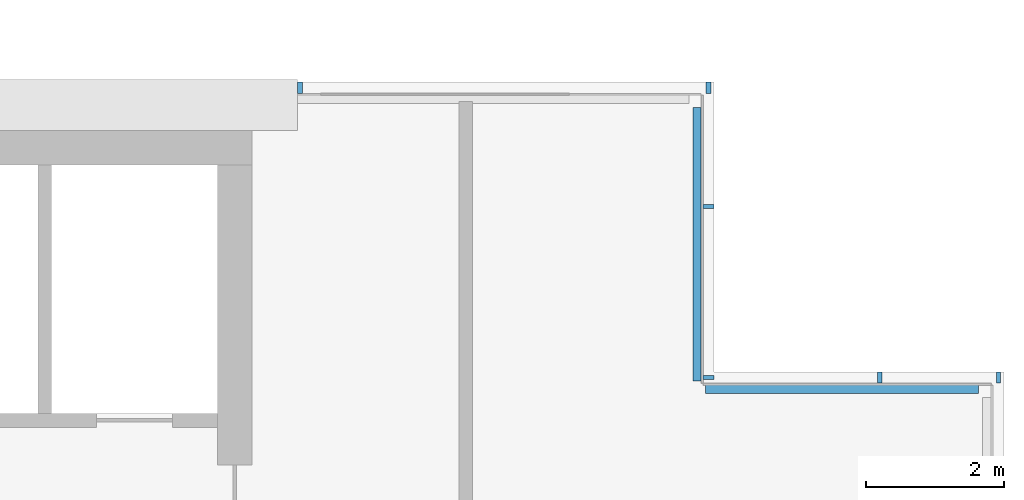
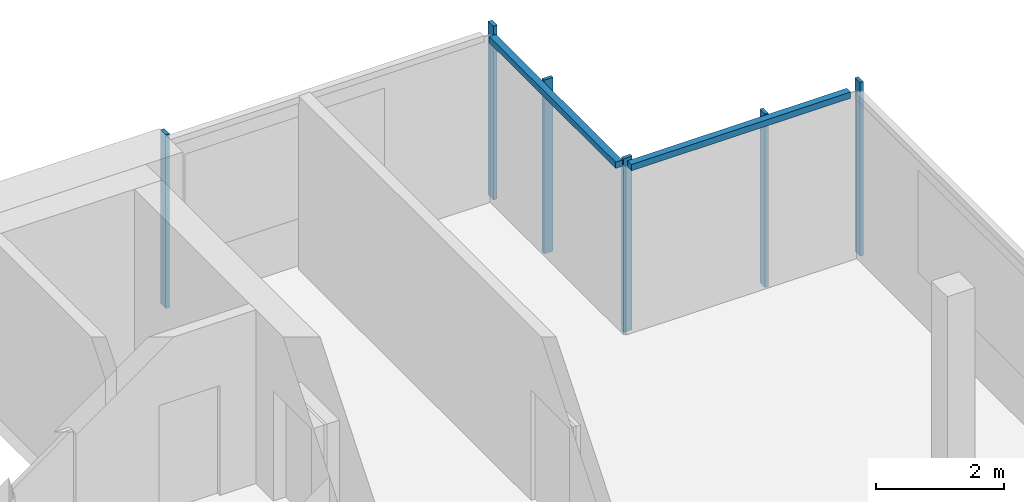
# One storey, part 9 of 21: 8 members, 3 elements without a shape of their own.
"""IFC4 building model written with IfcOpenShell, lengths in metres."""

from ifc_helpers import new_model, si_unit, direction, frame, origin, origin_2d, place, context, subcontext, project, spatial, rectangle, extrude, material, material_profile, profile_set, type_object, element, aggregate, save


model = new_model("IFC4")

# Units and contexts
model_context = context("Model", 3, precision=1e-05, world=origin(), true_north=direction((0.0, 1.0)))
body_context = subcontext(model_context, "Body", "Model", "MODEL_VIEW")
ifc_project = project(units=[si_unit("LENGTHUNIT", "METRE"), si_unit("AREAUNIT", "SQUARE_METRE"), si_unit("VOLUMEUNIT", "CUBIC_METRE"), si_unit("PLANEANGLEUNIT", "RADIAN"), si_unit("MASSUNIT", "GRAM", prefix="KILO")], contexts=[model_context])

# Site, building, storey
site_placement = place(None, origin())
site = spatial("IfcSite", under=ifc_project, at=site_placement, CompositionType="ELEMENT")
building_placement = place(site_placement, origin())
building = spatial("IfcBuilding", under=site, at=building_placement, Name="Saffron Gate Tower", CompositionType="ELEMENT")
storey_placement = place(building_placement, frame((0.0, 0.0, 299.550048828125)))
storey = spatial("IfcBuildingStorey", under=building, at=storey_placement, Name="L73", CompositionType="ELEMENT", Elevation=299.550048828125)

# Curtain wall, members
ifc_material = material(Name="Aluminium, bronze anodised", Category="aluminium")
curtain_wall_type_1 = type_object("IfcCurtainWallType", Name="CWS3 curtain wall rear facade", PredefinedType="NOTDEFINED", material=ifc_material)
curtain_wall_1_placement = place(storey_placement, origin())
curtain_wall_1 = element("IfcCurtainWall", 1, at=curtain_wall_1_placement, inside=storey, type_object=curtain_wall_type_1, Name="CWS3 run 7", PredefinedType="NOTDEFINED")
ifc_material_profile_1 = material_profile(ifc_material, rectangle(XDim=0.159912109375, YDim=0.070068359375, at=origin_2d()))
ifc_profile_set_1 = profile_set([ifc_material_profile_1], Name="Aluminium, bronze anodised")
member_type_1 = type_object("IfcMemberType", Name="CWS3 mullion 70x160", PredefinedType="MULLION", material=ifc_profile_set_1)
member_1_placement = place(storey_placement, frame((114.52001953125, 75.52001953125, 0.0), z_axis=(0.0, 0.0, 1.0), x_axis=(0.0, -1.0, 0.0)))
member_1 = element("IfcMember", 2, at=member_1_placement, type_object=member_type_1, Name="CWS3 mullion 1", PredefinedType="MULLION", context=body_context, shape_type="SweptSolid", body=[
    extrude(rectangle(XDim=0.159912109375, YDim=0.070068359375, at=origin_2d()), origin(), (0.0, 0.0, 1.0), 3.320068359375),
])
member_2_placement = place(storey_placement, frame((108.60009765625, 75.52001953125, 0.0), z_axis=(0.0, 0.0, 1.0), x_axis=(0.0, -1.0, 0.0)))
member_2 = element("IfcMember", 3, at=member_2_placement, type_object=member_type_1, Name="CWS3 mullion 2", PredefinedType="MULLION", context=body_context, shape_type="SweptSolid", body=[
    extrude(rectangle(XDim=0.159912109375, YDim=0.070068359375, at=origin_2d()), origin(), (0.0, 0.0, 1.0), 3.320068359375),
])
aggregate(curtain_wall_1, [member_1, member_2])

# Curtain wall, member
curtain_wall_type_2 = type_object("IfcCurtainWallType", Name="CWS4 curtain wall corner returns", PredefinedType="NOTDEFINED", material=ifc_material)
curtain_wall_2_placement = place(storey_placement, origin())
curtain_wall_2 = element("IfcCurtainWall", 4, at=curtain_wall_2_placement, inside=storey, type_object=curtain_wall_type_2, Name="CWS4 run 5", PredefinedType="NOTDEFINED")
ifc_material_profile_2 = material_profile(ifc_material, rectangle(XDim=0.1201171875, YDim=0.1201171875, at=origin_2d()))
ifc_profile_set_2 = profile_set([ifc_material_profile_2], Name="Aluminium, bronze anodised")
member_type_2 = type_object("IfcMemberType", Name="CWS4 head transom", PredefinedType="USERDEFINED", material=ifc_profile_set_2)
member_3_placement = place(storey_placement, frame((118.431884765625, 71.152099609375, 3.260009765625), z_axis=(-1.0, 0.0, 0.0), x_axis=(0.0, -1.0, 0.0)))
member_3 = element("IfcMember", 5, at=member_3_placement, type_object=member_type_2, Name="CWS4 head transom", ObjectType="TRANSOM", PredefinedType="USERDEFINED", context=body_context, shape_type="SweptSolid", body=[
    extrude(rectangle(XDim=0.1201171875, YDim=0.1201171875, at=origin_2d()), origin(), (0.0, 0.0, 1.0), 3.9599609375),
])

curtain_wall_3_placement = place(storey_placement, origin())
curtain_wall_3 = element("IfcCurtainWall", 6, at=curtain_wall_3_placement, inside=storey, type_object=curtain_wall_type_2, Name="CWS4 run 6", PredefinedType="NOTDEFINED")
member_4_placement = place(storey_placement, frame((114.35205078125, 71.27197265625, 3.260009765625), z_axis=(0.0, 1.0, 0.0), x_axis=(-1.0, 0.0, 0.0)))
member_4 = element("IfcMember", 7, at=member_4_placement, type_object=member_type_2, Name="CWS4 head transom", ObjectType="TRANSOM", PredefinedType="USERDEFINED", context=body_context, shape_type="SweptSolid", body=[
    extrude(rectangle(XDim=0.1201171875, YDim=0.1201171875, at=origin_2d()), origin(), (0.0, 0.0, 1.0), 3.9599609375),
])

# Member
ifc_material_profile_3 = material_profile(ifc_material, rectangle(XDim=0.159912109375, YDim=0.06005859375, at=origin_2d()))
ifc_profile_set_3 = profile_set([ifc_material_profile_3], Name="Aluminium, bronze anodised")
member_type_3 = type_object("IfcMemberType", Name="CWS4 mullion 60x160", PredefinedType="MULLION", material=ifc_profile_set_3)
member_5_placement = place(storey_placement, frame((118.719970703125, 71.320068359375, 0.0), z_axis=(0.0, 0.0, 1.0), x_axis=(0.0, -1.0, 0.0)))
member_5 = element("IfcMember", 8, at=member_5_placement, type_object=member_type_3, Name="CWS4 mullion 1", PredefinedType="MULLION", context=body_context, shape_type="SweptSolid", body=[
    extrude(rectangle(XDim=0.159912109375, YDim=0.06005859375, at=origin_2d()), origin(), (0.0, 0.0, 1.0), 3.320068359375),
])

member_6_placement = place(storey_placement, frame((117.0, 71.320068359375, 0.0), z_axis=(0.0, 0.0, 1.0), x_axis=(0.0, -1.0, 0.0)))
member_6 = element("IfcMember", 9, at=member_6_placement, type_object=member_type_3, Name="CWS4 mullion 2", PredefinedType="MULLION", context=body_context, shape_type="SweptSolid", body=[
    extrude(rectangle(XDim=0.159912109375, YDim=0.06005859375, at=origin_2d()), origin(), (0.0, 0.0, 1.0), 3.320068359375),
])

aggregate(curtain_wall_2, [member_5, member_6, member_3])

member_7_placement = place(storey_placement, frame((114.52001953125, 71.320068359375, 0.0), z_axis=(0.0, 0.0, 1.0), x_axis=(-1.0, 0.0, 0.0)))
member_7 = element("IfcMember", 10, at=member_7_placement, type_object=member_type_3, Name="CWS4 mullion 1", PredefinedType="MULLION", context=body_context, shape_type="SweptSolid", body=[
    extrude(rectangle(XDim=0.159912109375, YDim=0.06005859375, at=origin_2d()), origin(), (0.0, 0.0, 1.0), 3.320068359375),
])

member_8_placement = place(storey_placement, frame((114.52001953125, 73.800048828125, 0.0), z_axis=(0.0, 0.0, 1.0), x_axis=(-1.0, 0.0, 0.0)))
member_8 = element("IfcMember", 11, at=member_8_placement, type_object=member_type_3, Name="CWS4 mullion 2", PredefinedType="MULLION", context=body_context, shape_type="SweptSolid", body=[
    extrude(rectangle(XDim=0.159912109375, YDim=0.06005859375, at=origin_2d()), origin(), (0.0, 0.0, 1.0), 3.320068359375),
])

aggregate(curtain_wall_3, [member_7, member_8, member_4])

save(model, "model.ifc")
